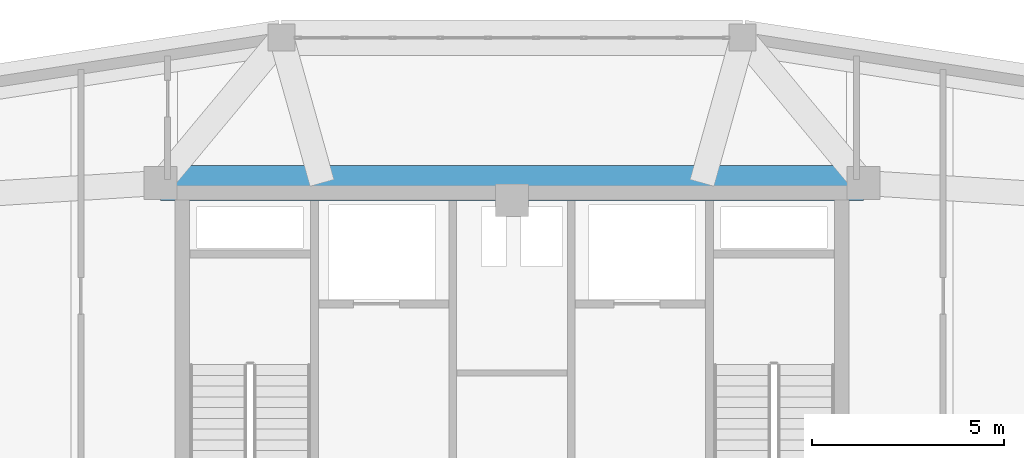
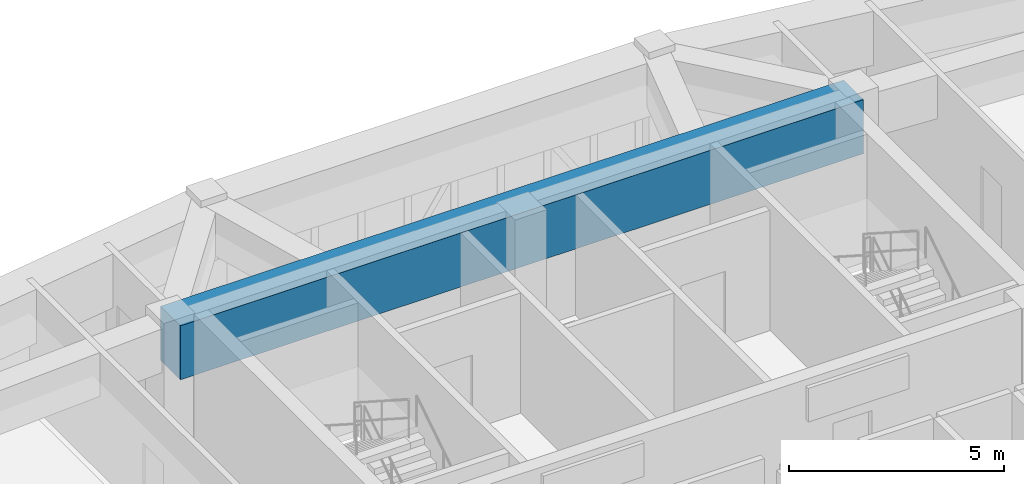
# One storey, part 10 of 15: 1 beam.
"""IFC4 building model written with IfcOpenShell, lengths in metres."""

from ifc_helpers import new_model, si_unit, derived_unit, direction, frame, origin, origin_2d, place, context, subcontext, project, spatial, rectangle, extrude, source, transform, mapped, material, material_profile, profile_set, type_object, element, save


model = new_model("IFC4")

# Units and contexts
model_context = context("Model", 3, precision=1e-05, world=origin(), true_north=direction((0.0, 1.0)))
body_context = subcontext(model_context, "Body", "Model", "MODEL_VIEW")
ifc_project = project(units=[si_unit("LENGTHUNIT", "METRE"), si_unit("AREAUNIT", "SQUARE_METRE"), si_unit("VOLUMEUNIT", "CUBIC_METRE"), si_unit("PLANEANGLEUNIT", "RADIAN"), si_unit("MASSUNIT", "GRAM", prefix="KILO"), derived_unit("THERMALTRANSMITTANCEUNIT", [(si_unit("POWERUNIT", "WATT"), 1), (si_unit("LENGTHUNIT", "METRE"), -2), (si_unit("THERMODYNAMICTEMPERATUREUNIT", "KELVIN"), -1)])], contexts=[model_context])

# Site, building, storey
site_placement = place(None, origin())
site = spatial("IfcSite", under=ifc_project, at=site_placement, CompositionType="ELEMENT")
building_placement = place(site_placement, origin())
building = spatial("IfcBuilding", under=site, at=building_placement, Name="Korsvarv Bourse and Concert Hall", CompositionType="ELEMENT")
storey_placement = place(building_placement, frame((0.0, 0.0, 250.199951171875)))
storey = spatial("IfcBuildingStorey", under=building, at=storey_placement, Name="L65", CompositionType="ELEMENT", Elevation=250.199951171875)

# Beam
ifc_material = material(Name="Concrete C50/60", Category="concrete")
ifc_material_profile = material_profile(ifc_material, rectangle(XDim=0.919921875, YDim=1.530029296875, at=origin_2d()), Name="RC-BM 920x1530")
ifc_profile_set = profile_set([ifc_material_profile], Name="Concrete C50/60")
beam_type = type_object("IfcBeamType", Name="BM-TR-154", PredefinedType="BEAM", material=ifc_profile_set)
shared_shape = source(origin(), body_context, "Body", "SweptSolid", [
    extrude(rectangle(XDim=0.919921875, YDim=1.530029296875, at=origin_2d()), origin(), (0.0, 0.0, 1.0), 18.2998046875),
])
beam_placement = place(storey_placement, frame((26.85009765625, 47.25, 2.64501953125), z_axis=(1.0, 0.0, 0.0), x_axis=(0.0, 1.0, 0.0)))
element("IfcBeam", 1, at=beam_placement, inside=storey, type_object=beam_type, Name="L65 beam B-TR6", PredefinedType="BEAM", context=body_context, shape_type="MappedRepresentation", body=[
    mapped(shared_shape, transform((0.0, 0.0, 0.0), scale=1.0)),
])

save(model, "model.ifc")
